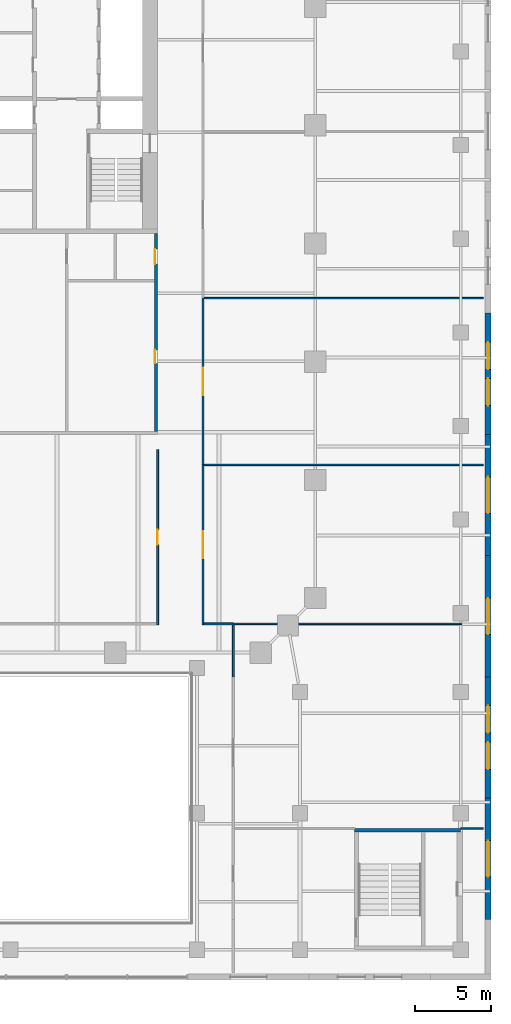
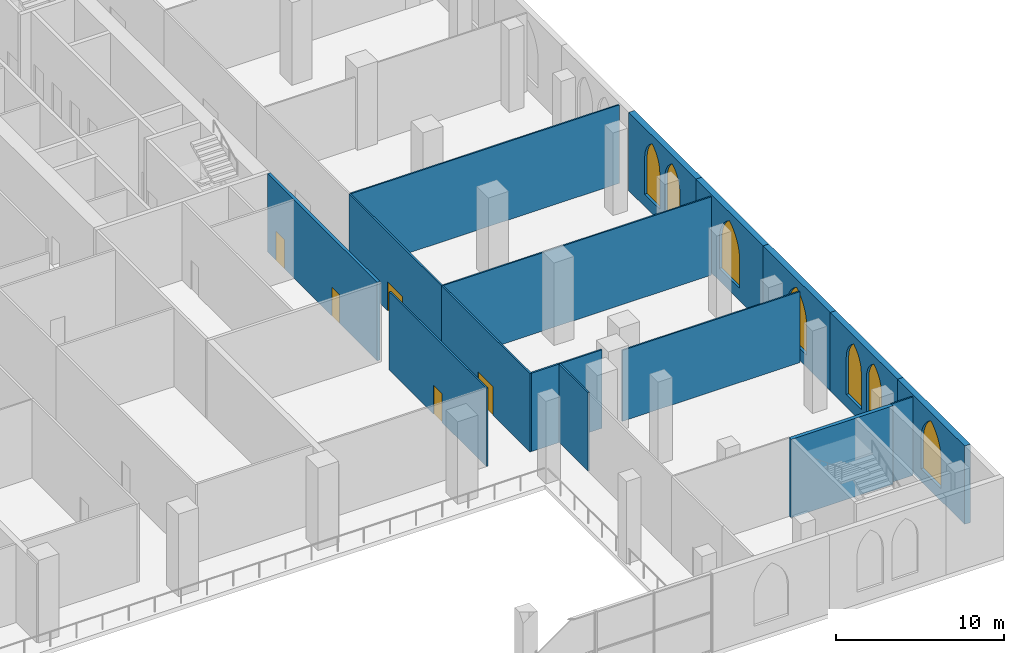
# One storey, part 13 of 21: 17 walls, 7 windows, 5 doors, 12 openings.
"""IFC4 building model written with IfcOpenShell, lengths in metres."""

from ifc_helpers import new_model, si_unit, direction, frame, frame_2d, origin, place, context, subcontext, project, spatial, polyline, rectangle, outline, extrude, material, layer, layer_set, type_object, element, fill, save


model = new_model("IFC4")

# Units and contexts
model_context = context("Model", 3, precision=1e-05, world=origin(), true_north=direction((0.0, 1.0)))
body_context = subcontext(model_context, "Body", "Model", "MODEL_VIEW")
ifc_project = project(units=[si_unit("LENGTHUNIT", "METRE"), si_unit("AREAUNIT", "SQUARE_METRE"), si_unit("VOLUMEUNIT", "CUBIC_METRE"), si_unit("PLANEANGLEUNIT", "RADIAN"), si_unit("MASSUNIT", "GRAM", prefix="KILO")], contexts=[model_context])

# Site, building, storey
site_placement = place(None, origin())
site = spatial("IfcSite", under=ifc_project, at=site_placement, CompositionType="ELEMENT")
building_placement = place(site_placement, origin())
building = spatial("IfcBuilding", under=site, at=building_placement, Name="Ogive Exchange Tower", CompositionType="ELEMENT")
storey_placement = place(building_placement, frame((0.0, 0.0, 8.0)))
storey = spatial("IfcBuildingStorey", under=building, at=storey_placement, Name="L01", CompositionType="ELEMENT", Elevation=8.0)

# Wall
ifc_material_1 = material(Name="Glazed fire partition EI 60 120")
ifc_layer_1 = layer(ifc_material_1, 0.1201171875)
ifc_layer_set_1 = layer_set([ifc_layer_1], Name="Glazed fire partition EI 60 120")
wall_type_1 = type_object("IfcWallType", Name="Glazed fire partition EI 60 120", PredefinedType="PARTITIONING", material=ifc_layer_set_1)
wall_1_placement = place(storey_placement, frame((25.06005859375, -28.5, 0.0), z_axis=(0.0, 0.0, 1.0), x_axis=(1.0, 0.0, 0.0)))
element("IfcWall", 1, at=wall_1_placement, inside=storey, type_object=wall_type_1, Name="L01-PWL-012", PredefinedType="PARTITIONING", context=body_context, shape_type="SweptSolid", body=[
    extrude(rectangle(XDim=1.93994140625, YDim=0.1201171875, at=frame_2d((0.969970703125, 0.0))), origin(), (0.0, 0.0, 1.0), 5.699951171875),
])

# Wall, opening, door
wall_2_placement = place(storey_placement, frame((22.0, -28.56005859375, 0.0), z_axis=(0.0, 0.0, 1.0), x_axis=(0.0, 1.0, 0.0)))
wall_2 = element("IfcWall", 2, at=wall_2_placement, inside=storey, type_object=wall_type_1, Name="L01-PWL-059", PredefinedType="PARTITIONING", context=body_context, shape_type="SweptSolid", body=[
    extrude(rectangle(XDim=11.56005859375, YDim=0.1201171875, at=frame_2d((5.780029296875, 0.0))), origin(), (0.0, 0.0, 1.0), 5.699951171875),
])
opening_1_placement = place(wall_2_placement, frame((5.280029296875, 0.0, 0.0)))
opening_1 = element("IfcOpeningElement", 3, at=opening_1_placement, cuts=wall_2, Name="Opening L01-I19", PredefinedType="OPENING", context=body_context, shape_type="SweptSolid", body=[
    extrude(rectangle(XDim=1.0, YDim=2.10009765625, at=frame_2d((0.5, 1.050048828125))), frame((0.0, 0.070068359375, 0.0), z_axis=(0.0, -1.0, 0.0), x_axis=(1.0, 0.0, 0.0)), (0.0, 0.0, 1.0), 0.14013671875),
])
ifc_material_2 = material(Name="Fire door FD 30S 1000 x 2100")
door_type_1 = type_object("IfcDoorType", Name="Fire door FD 30S 1000 x 2100", OperationType="NOTDEFINED", PredefinedType="DOOR", material=ifc_material_2)
door_1_placement = place(opening_1_placement, origin())
door_1 = element("IfcDoor", 4, at=door_1_placement, inside=storey, type_object=door_type_1, Name="L01-IDR-019", ObjectType="DT3", OperationType="SINGLE_SWING_RIGHT", OverallHeight=2.10009765625, OverallWidth=1.0, PredefinedType="DOOR", context=body_context, shape_type="SweptSolid", body=[
    extrude(rectangle(XDim=1.0, YDim=2.10009765625, at=frame_2d((0.5, 1.050048828125))), frame((0.0, 0.02490234375, 0.0), z_axis=(0.0, -1.0, 0.0), x_axis=(1.0, 0.0, 0.0)), (0.0, 0.0, 1.0), 0.050048828125),
])
fill(opening_1, door_1)

wall_3_placement = place(storey_placement, frame((25.0, -28.56005859375, 0.0), z_axis=(0.0, 0.0, 1.0), x_axis=(0.0, 1.0, 0.0)))
wall_3 = element("IfcWall", 5, at=wall_3_placement, inside=storey, type_object=wall_type_1, Name="L01-PWL-060", PredefinedType="PARTITIONING", context=body_context, shape_type="SweptSolid", body=[
    extrude(rectangle(XDim=10.56005859375, YDim=0.1201171875, at=frame_2d((5.280029296875, 0.0))), origin(), (0.0, 0.0, 1.0), 5.699951171875),
])
opening_2_placement = place(wall_3_placement, frame((4.3798828125, 0.0, 0.0)))
opening_2 = element("IfcOpeningElement", 6, at=opening_2_placement, cuts=wall_3, Name="Opening L01-I09", PredefinedType="OPENING", context=body_context, shape_type="SweptSolid", body=[
    extrude(rectangle(XDim=1.800048828125, YDim=2.10009765625, at=frame_2d((0.89990234375, 1.050048828125))), frame((0.0, 0.070068359375, 0.0), z_axis=(0.0, -1.0, 0.0), x_axis=(1.0, 0.0, 0.0)), (0.0, 0.0, 1.0), 0.14013671875),
])
ifc_material_3 = material(Name="Fire door FD 30S 1800 x 2100")
door_type_2 = type_object("IfcDoorType", Name="Fire door FD 30S 1800 x 2100", OperationType="DOUBLE_DOOR_SINGLE_SWING", PredefinedType="DOOR", material=ifc_material_3)
door_2_placement = place(opening_2_placement, frame((1.800048828125, 0.0, 0.0), z_axis=(0.0, 0.0, 1.0), x_axis=(-1.0, 0.0, 0.0)))
door_2 = element("IfcDoor", 7, at=door_2_placement, inside=storey, type_object=door_type_2, Name="L01-IDR-009", ObjectType="DT4", OperationType="SINGLE_SWING_RIGHT", OverallHeight=2.10009765625, OverallWidth=1.800048828125, PredefinedType="DOOR", context=body_context, shape_type="SweptSolid", body=[
    extrude(rectangle(XDim=1.800048828125, YDim=2.10009765625, at=frame_2d((0.89990234375, 1.050048828125))), frame((0.0, 0.02490234375, 0.0), z_axis=(0.0, -1.0, 0.0), x_axis=(1.0, 0.0, 0.0)), (0.0, 0.0, 1.0), 0.050048828125),
])
fill(opening_2, door_2)

wall_4_placement = place(storey_placement, frame((25.0, -18.0, 0.0), z_axis=(0.0, 0.0, 1.0), x_axis=(0.0, 1.0, 0.0)))
wall_4 = element("IfcWall", 8, at=wall_4_placement, inside=storey, type_object=wall_type_1, Name="L01-PWL-061", PredefinedType="PARTITIONING", context=body_context, shape_type="SweptSolid", body=[
    extrude(rectangle(XDim=11.0, YDim=0.1201171875, at=frame_2d((5.5, 0.0))), origin(), (0.0, 0.0, 1.0), 5.699951171875),
])
opening_3_placement = place(wall_4_placement, frame((4.60009765625, 0.0, 0.0)))
opening_3 = element("IfcOpeningElement", 9, at=opening_3_placement, cuts=wall_4, Name="Opening L01-I10", PredefinedType="OPENING", context=body_context, shape_type="SweptSolid", body=[
    extrude(rectangle(XDim=1.800048828125, YDim=2.10009765625, at=frame_2d((0.89990234375, 1.050048828125))), frame((0.0, 0.070068359375, 0.0), z_axis=(0.0, -1.0, 0.0), x_axis=(1.0, 0.0, 0.0)), (0.0, 0.0, 1.0), 0.14013671875),
])
door_3_placement = place(opening_3_placement, frame((1.800048828125, 0.0, 0.0), z_axis=(0.0, 0.0, 1.0), x_axis=(-1.0, 0.0, 0.0)))
door_3 = element("IfcDoor", 10, at=door_3_placement, inside=storey, type_object=door_type_2, Name="L01-IDR-010", ObjectType="DT4", OperationType="SINGLE_SWING_LEFT", OverallHeight=2.10009765625, OverallWidth=1.800048828125, PredefinedType="DOOR", context=body_context, shape_type="SweptSolid", body=[
    extrude(rectangle(XDim=1.800048828125, YDim=2.10009765625, at=frame_2d((0.89990234375, 1.050048828125))), frame((0.0, 0.02490234375, 0.0), z_axis=(0.0, -1.0, 0.0), x_axis=(1.0, 0.0, 0.0)), (0.0, 0.0, 1.0), 0.050048828125),
])
fill(opening_3, door_3)

# Wall
wall_5_placement = place(storey_placement, frame((27.0, -32.0, 0.0), z_axis=(0.0, 0.0, 1.0), x_axis=(0.0, 1.0, 0.0)))
element("IfcWall", 11, at=wall_5_placement, inside=storey, type_object=wall_type_1, Name="L01-PWL-069", PredefinedType="PARTITIONING", context=body_context, shape_type="SweptSolid", body=[
    extrude(rectangle(XDim=3.43994140625, YDim=0.1201171875, at=frame_2d((1.719970703125, 0.0))), origin(), (0.0, 0.0, 1.0), 5.699951171875),
])

# Wall, opening, window
ifc_material_4 = material(Name="Precast concrete C40/50", Category="concrete")
ifc_layer_2 = layer(ifc_material_4, 0.39990234375)
ifc_layer_set_2 = layer_set([ifc_layer_2], Name="Limestone-faced wall 400")
wall_type_2 = type_object("IfcWallType", Name="Limestone-faced wall 400", PredefinedType="STANDARD", material=ifc_layer_set_2)
wall_6_placement = place(storey_placement, frame((43.800048828125, -48.0, 0.0), z_axis=(0.0, 0.0, 1.0), x_axis=(0.0, 1.0, 0.0)))
wall_6 = element("IfcWall", 12, at=wall_6_placement, inside=storey, type_object=wall_type_2, Name="Podium wall E2", PredefinedType="STANDARD", context=body_context, shape_type="SweptSolid", body=[
    extrude(rectangle(XDim=8.0, YDim=0.39990234375, at=frame_2d((4.0, 0.0))), origin(), (0.0, 0.0, 1.0), 5.699951171875),
])
opening_4_placement = place(wall_6_placement, frame((2.800048828125, 0.0, 0.89990234375)))
opening_4 = element("IfcOpeningElement", 13, at=opening_4_placement, cuts=wall_6, Name="Opening WP420", PredefinedType="OPENING", context=body_context, shape_type="SweptSolid", body=[
    extrude(outline(polyline([(0.0, 0.0), (2.39990234375, 0.0), (2.39990234375, 2.12158203125), (2.37939453125, 2.434814453125), (2.318115234375, 2.74267578125), (2.21728515625, 3.0400390625), (2.078369140625, 3.321533203125), (1.904052734375, 3.58251953125), (1.697021484375, 3.818603515625), (1.4609375, 4.025634765625), (1.199951171875, 4.199951171875), (0.93896484375, 4.025634765625), (0.702880859375, 3.818603515625), (0.495849609375, 3.58251953125), (0.321533203125, 3.321533203125), (0.1826171875, 3.0400390625), (0.081787109375, 2.74267578125), (0.0205078125, 2.434814453125), (0.0, 2.12158203125), (0.0, 0.0)])), frame((0.0, 0.2099609375, 0.0), z_axis=(0.0, -1.0, 0.0), x_axis=(1.0, 0.0, 0.0)), (0.0, 0.0, 1.0), 0.419921875),
])
ifc_material_5 = material(Name="Clear glass in bronze frame", Category="glass")
window_type_1 = type_object("IfcWindowType", Name="Podium lancet window 2400 x 4200", PartitioningType="DOUBLE_PANEL_VERTICAL", PredefinedType="WINDOW", material=ifc_material_5)
window_1_placement = place(opening_4_placement, origin())
window_1 = element("IfcWindow", 14, at=window_1_placement, inside=storey, type_object=window_type_1, Name="Podium window E2", OverallHeight=4.199951171875, OverallWidth=2.39990234375, PartitioningType="DOUBLE_PANEL_VERTICAL", PredefinedType="WINDOW", context=body_context, shape_type="SweptSolid", body=[
    extrude(outline(polyline([(0.0, 0.0), (2.39990234375, 0.0), (2.39990234375, 2.12158203125), (2.37939453125, 2.434814453125), (2.318115234375, 2.74267578125), (2.21728515625, 3.0400390625), (2.078369140625, 3.321533203125), (1.904052734375, 3.58251953125), (1.697021484375, 3.818603515625), (1.4609375, 4.025634765625), (1.199951171875, 4.199951171875), (0.93896484375, 4.025634765625), (0.702880859375, 3.818603515625), (0.495849609375, 3.58251953125), (0.321533203125, 3.321533203125), (0.1826171875, 3.0400390625), (0.081787109375, 2.74267578125), (0.0205078125, 2.434814453125), (0.0, 2.12158203125), (0.0, 0.0)])), frame((0.0, 0.030029296875, 0.0), z_axis=(0.0, -1.0, 0.0), x_axis=(1.0, 0.0, 0.0)), (0.0, 0.0, 1.0), 0.06005859375),
])
fill(opening_4, window_1)

# Wall, openings, windows
wall_7_placement = place(storey_placement, frame((43.800048828125, -40.0, 0.0), z_axis=(0.0, 0.0, 1.0), x_axis=(0.0, 1.0, 0.0)))
wall_7 = element("IfcWall", 15, at=wall_7_placement, inside=storey, type_object=wall_type_2, Name="Podium wall E3", PredefinedType="STANDARD", context=body_context, shape_type="SweptSolid", body=[
    extrude(rectangle(XDim=8.0, YDim=0.39990234375, at=frame_2d((4.0, 0.0))), origin(), (0.0, 0.0, 1.0), 5.699951171875),
])
opening_5_placement = place(wall_7_placement, frame((1.89990234375, 0.0, 0.89990234375)))
opening_5 = element("IfcOpeningElement", 16, at=opening_5_placement, cuts=wall_7, Name="Opening WQ420", PredefinedType="OPENING", context=body_context, shape_type="SweptSolid", body=[
    extrude(outline(polyline([(0.0, 0.0), (1.800048828125, 0.0), (1.800048828125, 2.64111328125), (1.78466796875, 2.8759765625), (1.73876953125, 3.10693359375), (1.6630859375, 3.329833984375), (1.558837890625, 3.541015625), (1.427978515625, 3.73681640625), (1.272705078125, 3.913818359375), (1.095703125, 4.069091796875), (0.89990234375, 4.199951171875), (0.704345703125, 4.069091796875), (0.52734375, 3.913818359375), (0.3720703125, 3.73681640625), (0.2412109375, 3.541015625), (0.136962890625, 3.329833984375), (0.061279296875, 3.10693359375), (0.015380859375, 2.8759765625), (0.0, 2.64111328125), (0.0, 0.0)])), frame((0.0, 0.2099609375, 0.0), z_axis=(0.0, -1.0, 0.0), x_axis=(1.0, 0.0, 0.0)), (0.0, 0.0, 1.0), 0.419921875),
])
opening_6_placement = place(wall_7_placement, frame((4.300048828125, 0.0, 0.89990234375)))
opening_6 = element("IfcOpeningElement", 17, at=opening_6_placement, cuts=wall_7, Name="Opening WQ420", PredefinedType="OPENING", context=body_context, shape_type="SweptSolid", body=[
    extrude(outline(polyline([(0.0, 0.0), (1.800048828125, 0.0), (1.800048828125, 2.64111328125), (1.78466796875, 2.8759765625), (1.73876953125, 3.10693359375), (1.6630859375, 3.329833984375), (1.558837890625, 3.541015625), (1.427978515625, 3.73681640625), (1.272705078125, 3.913818359375), (1.095703125, 4.069091796875), (0.89990234375, 4.199951171875), (0.704345703125, 4.069091796875), (0.52734375, 3.913818359375), (0.3720703125, 3.73681640625), (0.2412109375, 3.541015625), (0.136962890625, 3.329833984375), (0.061279296875, 3.10693359375), (0.015380859375, 2.8759765625), (0.0, 2.64111328125), (0.0, 0.0)])), frame((0.0, 0.2099609375, 0.0), z_axis=(0.0, -1.0, 0.0), x_axis=(1.0, 0.0, 0.0)), (0.0, 0.0, 1.0), 0.419921875),
])
window_type_2 = type_object("IfcWindowType", Name="Podium paired lancet 1800 x 4200", PartitioningType="DOUBLE_PANEL_VERTICAL", PredefinedType="WINDOW", material=ifc_material_5)
window_2_placement = place(opening_5_placement, origin())
window_2 = element("IfcWindow", 18, at=window_2_placement, inside=storey, type_object=window_type_2, Name="Podium paired lancet E3.1", OverallHeight=4.199951171875, OverallWidth=1.800048828125, PartitioningType="DOUBLE_PANEL_VERTICAL", PredefinedType="WINDOW", context=body_context, shape_type="SweptSolid", body=[
    extrude(outline(polyline([(0.0, 0.0), (1.800048828125, 0.0), (1.800048828125, 2.64111328125), (1.78466796875, 2.8759765625), (1.73876953125, 3.10693359375), (1.6630859375, 3.329833984375), (1.558837890625, 3.541015625), (1.427978515625, 3.73681640625), (1.272705078125, 3.913818359375), (1.095703125, 4.069091796875), (0.89990234375, 4.199951171875), (0.704345703125, 4.069091796875), (0.52734375, 3.913818359375), (0.3720703125, 3.73681640625), (0.2412109375, 3.541015625), (0.136962890625, 3.329833984375), (0.061279296875, 3.10693359375), (0.015380859375, 2.8759765625), (0.0, 2.64111328125), (0.0, 0.0)])), frame((0.0, 0.030029296875, 0.0), z_axis=(0.0, -1.0, 0.0), x_axis=(1.0, 0.0, 0.0)), (0.0, 0.0, 1.0), 0.06005859375),
])
fill(opening_5, window_2)
window_3_placement = place(opening_6_placement, origin())
window_3 = element("IfcWindow", 19, at=window_3_placement, inside=storey, type_object=window_type_2, Name="Podium paired lancet E3.2", OverallHeight=4.199951171875, OverallWidth=1.800048828125, PartitioningType="DOUBLE_PANEL_VERTICAL", PredefinedType="WINDOW", context=body_context, shape_type="SweptSolid", body=[
    extrude(outline(polyline([(0.0, 0.0), (1.800048828125, 0.0), (1.800048828125, 2.64111328125), (1.78466796875, 2.8759765625), (1.73876953125, 3.10693359375), (1.6630859375, 3.329833984375), (1.558837890625, 3.541015625), (1.427978515625, 3.73681640625), (1.272705078125, 3.913818359375), (1.095703125, 4.069091796875), (0.89990234375, 4.199951171875), (0.704345703125, 4.069091796875), (0.52734375, 3.913818359375), (0.3720703125, 3.73681640625), (0.2412109375, 3.541015625), (0.136962890625, 3.329833984375), (0.061279296875, 3.10693359375), (0.015380859375, 2.8759765625), (0.0, 2.64111328125), (0.0, 0.0)])), frame((0.0, 0.030029296875, 0.0), z_axis=(0.0, -1.0, 0.0), x_axis=(1.0, 0.0, 0.0)), (0.0, 0.0, 1.0), 0.06005859375),
])
fill(opening_6, window_3)

# Wall, opening, window
wall_8_placement = place(storey_placement, frame((43.800048828125, -32.0, 0.0), z_axis=(0.0, 0.0, 1.0), x_axis=(0.0, 1.0, 0.0)))
wall_8 = element("IfcWall", 20, at=wall_8_placement, inside=storey, type_object=wall_type_2, Name="Podium wall E4", PredefinedType="STANDARD", context=body_context, shape_type="SweptSolid", body=[
    extrude(rectangle(XDim=8.0, YDim=0.39990234375, at=frame_2d((4.0, 0.0))), origin(), (0.0, 0.0, 1.0), 5.699951171875),
])
opening_7_placement = place(wall_8_placement, frame((2.800048828125, 0.0, 0.89990234375)))
opening_7 = element("IfcOpeningElement", 21, at=opening_7_placement, cuts=wall_8, Name="Opening WP420", PredefinedType="OPENING", context=body_context, shape_type="SweptSolid", body=[
    extrude(outline(polyline([(0.0, 0.0), (2.39990234375, 0.0), (2.39990234375, 2.12158203125), (2.37939453125, 2.434814453125), (2.318115234375, 2.74267578125), (2.21728515625, 3.0400390625), (2.078369140625, 3.321533203125), (1.904052734375, 3.58251953125), (1.697021484375, 3.818603515625), (1.4609375, 4.025634765625), (1.199951171875, 4.199951171875), (0.93896484375, 4.025634765625), (0.702880859375, 3.818603515625), (0.495849609375, 3.58251953125), (0.321533203125, 3.321533203125), (0.1826171875, 3.0400390625), (0.081787109375, 2.74267578125), (0.0205078125, 2.434814453125), (0.0, 2.12158203125), (0.0, 0.0)])), frame((0.0, 0.2099609375, 0.0), z_axis=(0.0, -1.0, 0.0), x_axis=(1.0, 0.0, 0.0)), (0.0, 0.0, 1.0), 0.419921875),
])
window_4_placement = place(opening_7_placement, origin())
window_4 = element("IfcWindow", 22, at=window_4_placement, inside=storey, type_object=window_type_1, Name="Podium window E4", OverallHeight=4.199951171875, OverallWidth=2.39990234375, PartitioningType="DOUBLE_PANEL_VERTICAL", PredefinedType="WINDOW", context=body_context, shape_type="SweptSolid", body=[
    extrude(outline(polyline([(0.0, 0.0), (2.39990234375, 0.0), (2.39990234375, 2.12158203125), (2.37939453125, 2.434814453125), (2.318115234375, 2.74267578125), (2.21728515625, 3.0400390625), (2.078369140625, 3.321533203125), (1.904052734375, 3.58251953125), (1.697021484375, 3.818603515625), (1.4609375, 4.025634765625), (1.199951171875, 4.199951171875), (0.93896484375, 4.025634765625), (0.702880859375, 3.818603515625), (0.495849609375, 3.58251953125), (0.321533203125, 3.321533203125), (0.1826171875, 3.0400390625), (0.081787109375, 2.74267578125), (0.0205078125, 2.434814453125), (0.0, 2.12158203125), (0.0, 0.0)])), frame((0.0, 0.030029296875, 0.0), z_axis=(0.0, -1.0, 0.0), x_axis=(1.0, 0.0, 0.0)), (0.0, 0.0, 1.0), 0.06005859375),
])
fill(opening_7, window_4)

wall_9_placement = place(storey_placement, frame((43.800048828125, -24.0, 0.0), z_axis=(0.0, 0.0, 1.0), x_axis=(0.0, 1.0, 0.0)))
wall_9 = element("IfcWall", 23, at=wall_9_placement, inside=storey, type_object=wall_type_2, Name="Podium wall E5", PredefinedType="STANDARD", context=body_context, shape_type="SweptSolid", body=[
    extrude(rectangle(XDim=8.0, YDim=0.39990234375, at=frame_2d((4.0, 0.0))), origin(), (0.0, 0.0, 1.0), 5.699951171875),
])
opening_8_placement = place(wall_9_placement, frame((2.800048828125, 0.0, 0.89990234375)))
opening_8 = element("IfcOpeningElement", 24, at=opening_8_placement, cuts=wall_9, Name="Opening WP420", PredefinedType="OPENING", context=body_context, shape_type="SweptSolid", body=[
    extrude(outline(polyline([(0.0, 0.0), (2.39990234375, 0.0), (2.39990234375, 2.12158203125), (2.37939453125, 2.434814453125), (2.318115234375, 2.74267578125), (2.21728515625, 3.0400390625), (2.078369140625, 3.321533203125), (1.904052734375, 3.58251953125), (1.697021484375, 3.818603515625), (1.4609375, 4.025634765625), (1.199951171875, 4.199951171875), (0.93896484375, 4.025634765625), (0.702880859375, 3.818603515625), (0.495849609375, 3.58251953125), (0.321533203125, 3.321533203125), (0.1826171875, 3.0400390625), (0.081787109375, 2.74267578125), (0.0205078125, 2.434814453125), (0.0, 2.12158203125), (0.0, 0.0)])), frame((0.0, 0.2099609375, 0.0), z_axis=(0.0, -1.0, 0.0), x_axis=(1.0, 0.0, 0.0)), (0.0, 0.0, 1.0), 0.419921875),
])
window_5_placement = place(opening_8_placement, origin())
window_5 = element("IfcWindow", 25, at=window_5_placement, inside=storey, type_object=window_type_1, Name="Podium window E5", OverallHeight=4.199951171875, OverallWidth=2.39990234375, PartitioningType="DOUBLE_PANEL_VERTICAL", PredefinedType="WINDOW", context=body_context, shape_type="SweptSolid", body=[
    extrude(outline(polyline([(0.0, 0.0), (2.39990234375, 0.0), (2.39990234375, 2.12158203125), (2.37939453125, 2.434814453125), (2.318115234375, 2.74267578125), (2.21728515625, 3.0400390625), (2.078369140625, 3.321533203125), (1.904052734375, 3.58251953125), (1.697021484375, 3.818603515625), (1.4609375, 4.025634765625), (1.199951171875, 4.199951171875), (0.93896484375, 4.025634765625), (0.702880859375, 3.818603515625), (0.495849609375, 3.58251953125), (0.321533203125, 3.321533203125), (0.1826171875, 3.0400390625), (0.081787109375, 2.74267578125), (0.0205078125, 2.434814453125), (0.0, 2.12158203125), (0.0, 0.0)])), frame((0.0, 0.030029296875, 0.0), z_axis=(0.0, -1.0, 0.0), x_axis=(1.0, 0.0, 0.0)), (0.0, 0.0, 1.0), 0.06005859375),
])
fill(opening_8, window_5)

# Wall, openings, windows
wall_10_placement = place(storey_placement, frame((43.800048828125, -16.0, 0.0), z_axis=(0.0, 0.0, 1.0), x_axis=(0.0, 1.0, 0.0)))
wall_10 = element("IfcWall", 26, at=wall_10_placement, inside=storey, type_object=wall_type_2, Name="Podium wall E6", PredefinedType="STANDARD", context=body_context, shape_type="SweptSolid", body=[
    extrude(rectangle(XDim=8.0, YDim=0.39990234375, at=frame_2d((4.0, 0.0))), origin(), (0.0, 0.0, 1.0), 5.699951171875),
])
opening_9_placement = place(wall_10_placement, frame((1.89990234375, 0.0, 0.89990234375)))
opening_9 = element("IfcOpeningElement", 27, at=opening_9_placement, cuts=wall_10, Name="Opening WQ420", PredefinedType="OPENING", context=body_context, shape_type="SweptSolid", body=[
    extrude(outline(polyline([(0.0, 0.0), (1.800048828125, 0.0), (1.800048828125, 2.64111328125), (1.78466796875, 2.8759765625), (1.73876953125, 3.10693359375), (1.6630859375, 3.329833984375), (1.558837890625, 3.541015625), (1.427978515625, 3.73681640625), (1.272705078125, 3.913818359375), (1.095703125, 4.069091796875), (0.89990234375, 4.199951171875), (0.704345703125, 4.069091796875), (0.52734375, 3.913818359375), (0.3720703125, 3.73681640625), (0.2412109375, 3.541015625), (0.136962890625, 3.329833984375), (0.061279296875, 3.10693359375), (0.015380859375, 2.8759765625), (0.0, 2.64111328125), (0.0, 0.0)])), frame((0.0, 0.2099609375, 0.0), z_axis=(0.0, -1.0, 0.0), x_axis=(1.0, 0.0, 0.0)), (0.0, 0.0, 1.0), 0.419921875),
])
opening_10_placement = place(wall_10_placement, frame((4.300048828125, 0.0, 0.89990234375)))
opening_10 = element("IfcOpeningElement", 28, at=opening_10_placement, cuts=wall_10, Name="Opening WQ420", PredefinedType="OPENING", context=body_context, shape_type="SweptSolid", body=[
    extrude(outline(polyline([(0.0, 0.0), (1.800048828125, 0.0), (1.800048828125, 2.64111328125), (1.78466796875, 2.8759765625), (1.73876953125, 3.10693359375), (1.6630859375, 3.329833984375), (1.558837890625, 3.541015625), (1.427978515625, 3.73681640625), (1.272705078125, 3.913818359375), (1.095703125, 4.069091796875), (0.89990234375, 4.199951171875), (0.704345703125, 4.069091796875), (0.52734375, 3.913818359375), (0.3720703125, 3.73681640625), (0.2412109375, 3.541015625), (0.136962890625, 3.329833984375), (0.061279296875, 3.10693359375), (0.015380859375, 2.8759765625), (0.0, 2.64111328125), (0.0, 0.0)])), frame((0.0, 0.2099609375, 0.0), z_axis=(0.0, -1.0, 0.0), x_axis=(1.0, 0.0, 0.0)), (0.0, 0.0, 1.0), 0.419921875),
])
window_6_placement = place(opening_9_placement, origin())
window_6 = element("IfcWindow", 29, at=window_6_placement, inside=storey, type_object=window_type_2, Name="Podium paired lancet E6.1", OverallHeight=4.199951171875, OverallWidth=1.800048828125, PartitioningType="DOUBLE_PANEL_VERTICAL", PredefinedType="WINDOW", context=body_context, shape_type="SweptSolid", body=[
    extrude(outline(polyline([(0.0, 0.0), (1.800048828125, 0.0), (1.800048828125, 2.64111328125), (1.78466796875, 2.8759765625), (1.73876953125, 3.10693359375), (1.6630859375, 3.329833984375), (1.558837890625, 3.541015625), (1.427978515625, 3.73681640625), (1.272705078125, 3.913818359375), (1.095703125, 4.069091796875), (0.89990234375, 4.199951171875), (0.704345703125, 4.069091796875), (0.52734375, 3.913818359375), (0.3720703125, 3.73681640625), (0.2412109375, 3.541015625), (0.136962890625, 3.329833984375), (0.061279296875, 3.10693359375), (0.015380859375, 2.8759765625), (0.0, 2.64111328125), (0.0, 0.0)])), frame((0.0, 0.030029296875, 0.0), z_axis=(0.0, -1.0, 0.0), x_axis=(1.0, 0.0, 0.0)), (0.0, 0.0, 1.0), 0.06005859375),
])
fill(opening_9, window_6)
window_7_placement = place(opening_10_placement, origin())
window_7 = element("IfcWindow", 30, at=window_7_placement, inside=storey, type_object=window_type_2, Name="Podium paired lancet E6.2", OverallHeight=4.199951171875, OverallWidth=1.800048828125, PartitioningType="DOUBLE_PANEL_VERTICAL", PredefinedType="WINDOW", context=body_context, shape_type="SweptSolid", body=[
    extrude(outline(polyline([(0.0, 0.0), (1.800048828125, 0.0), (1.800048828125, 2.64111328125), (1.78466796875, 2.8759765625), (1.73876953125, 3.10693359375), (1.6630859375, 3.329833984375), (1.558837890625, 3.541015625), (1.427978515625, 3.73681640625), (1.272705078125, 3.913818359375), (1.095703125, 4.069091796875), (0.89990234375, 4.199951171875), (0.704345703125, 4.069091796875), (0.52734375, 3.913818359375), (0.3720703125, 3.73681640625), (0.2412109375, 3.541015625), (0.136962890625, 3.329833984375), (0.061279296875, 3.10693359375), (0.015380859375, 2.8759765625), (0.0, 2.64111328125), (0.0, 0.0)])), frame((0.0, 0.030029296875, 0.0), z_axis=(0.0, -1.0, 0.0), x_axis=(1.0, 0.0, 0.0)), (0.0, 0.0, 1.0), 0.06005859375),
])
fill(opening_10, window_7)

# Walls
ifc_material_6 = material(Name="Partition 100 gypsum")
ifc_layer_3 = layer(ifc_material_6, 0.10009765625)
ifc_layer_set_3 = layer_set([ifc_layer_3], Name="Partition 100 gypsum")
wall_type_3 = type_object("IfcWallType", Name="Partition 100 gypsum", PredefinedType="PARTITIONING", material=ifc_layer_set_3)
wall_11_placement = place(storey_placement, frame((42.0, -42.0, 0.0), z_axis=(0.0, 0.0, 1.0), x_axis=(1.0, 0.0, 0.0)))
element("IfcWall", 31, at=wall_11_placement, inside=storey, type_object=wall_type_3, Name="L01-PWL-004", PredefinedType="PARTITIONING", context=body_context, shape_type="SweptSolid", body=[
    extrude(rectangle(XDim=1.5, YDim=0.10009765625, at=frame_2d((0.75, 0.0))), origin(), (0.0, 0.0, 1.0), 5.699951171875),
])
wall_12_placement = place(storey_placement, frame((27.0, -28.5, 0.0), z_axis=(0.0, 0.0, 1.0), x_axis=(1.0, 0.0, 0.0)))
element("IfcWall", 32, at=wall_12_placement, inside=storey, type_object=wall_type_3, Name="L01-PWL-013", PredefinedType="PARTITIONING", context=body_context, shape_type="SweptSolid", body=[
    extrude(rectangle(XDim=2.89990234375, YDim=0.10009765625, at=frame_2d((1.449951171875, 0.0))), origin(), (0.0, 0.0, 1.0), 5.699951171875),
])
wall_13_placement = place(storey_placement, frame((31.300048828125, -28.5, 0.0), z_axis=(0.0, 0.0, 1.0), x_axis=(1.0, 0.0, 0.0)))
element("IfcWall", 33, at=wall_13_placement, inside=storey, type_object=wall_type_3, Name="L01-PWL-014", PredefinedType="PARTITIONING", context=body_context, shape_type="SweptSolid", body=[
    extrude(rectangle(XDim=12.199951171875, YDim=0.10009765625, at=frame_2d((6.10009765625, 0.0))), origin(), (0.0, 0.0, 1.0), 5.1640625),
])
for number, where, z_axis, x_axis, name in (
    (34, (25.06005859375, -18.0, 0.0), (0.0, 0.0, 1.0), (1.0, 0.0, 0.0), "L01-PWL-017"),
    (35, (25.06005859375, -7.0, 0.0), (0.0, 0.0, 1.0), (1.0, 0.0, 0.0), "L01-PWL-022"),
):
    element("IfcWall", number, at=place(storey_placement, frame(where, z_axis=z_axis, x_axis=x_axis)), inside=storey, type_object=wall_type_3, Name=name, PredefinedType="PARTITIONING", context=body_context, shape_type="SweptSolid", body=[
        extrude(rectangle(XDim=18.43994140625, YDim=0.10009765625, at=frame_2d((9.219970703125, 0.0))), origin(), (0.0, 0.0, 1.0), 5.699951171875),
    ])

# Wall, openings, doors
ifc_material_7 = material(Name="Concrete C70/85", Category="concrete")
ifc_layer_4 = layer(ifc_material_7, 0.199951171875)
ifc_layer_set_4 = layer_set([ifc_layer_4], Name="RC core wall 200 C70/85")
wall_type_4 = type_object("IfcWallType", Name="RC core wall 200 C70/85", PredefinedType="SHEAR", material=ifc_layer_set_4)
wall_14_placement = place(storey_placement, frame((21.89990234375, -15.800048828125, 0.0), z_axis=(0.0, 0.0, 1.0), x_axis=(0.0, 1.0, 0.0)))
wall_14 = element("IfcWall", 36, at=wall_14_placement, inside=storey, type_object=wall_type_4, Name="E annex S outer wall", PredefinedType="SHEAR", context=body_context, shape_type="SweptSolid", body=[
    extrude(rectangle(XDim=13.050048828125, YDim=0.199951171875, at=frame_2d((6.52490234375, 0.0))), origin(), (0.0, 0.0, 1.0), 5.699951171875),
])
opening_11_placement = place(wall_14_placement, frame((4.487548828125, 0.0, 0.0)))
opening_11 = element("IfcOpeningElement", 37, at=opening_11_placement, cuts=wall_14, Name="Opening L01-C41", PredefinedType="OPENING", context=body_context, shape_type="SweptSolid", body=[
    extrude(rectangle(XDim=0.89990234375, YDim=2.10009765625, at=frame_2d((0.449951171875, 1.050048828125))), frame((0.0, 0.10986328125, 0.0), z_axis=(0.0, -1.0, 0.0), x_axis=(1.0, 0.0, 0.0)), (0.0, 0.0, 1.0), 0.219970703125),
])
opening_12_placement = place(wall_14_placement, frame((11.03759765625, 0.0, 0.0)))
opening_12 = element("IfcOpeningElement", 38, at=opening_12_placement, cuts=wall_14, Name="Opening L01-C42", PredefinedType="OPENING", context=body_context, shape_type="SweptSolid", body=[
    extrude(rectangle(XDim=1.0, YDim=2.10009765625, at=frame_2d((0.5, 1.050048828125))), frame((0.0, 0.10986328125, 0.0), z_axis=(0.0, -1.0, 0.0), x_axis=(1.0, 0.0, 0.0)), (0.0, 0.0, 1.0), 0.219970703125),
])
ifc_material_8 = material(Name="Timber fire door", Category="wood")
door_type_3 = type_object("IfcDoorType", Name="Accessible WC door FD30S 1000 x 2100", OperationType="NOTDEFINED", PredefinedType="DOOR", material=ifc_material_8)
door_4_placement = place(opening_12_placement, origin())
door_4 = element("IfcDoor", 39, at=door_4_placement, inside=storey, type_object=door_type_3, Name="Accessible WC door", ObjectType="CD7", OperationType="SINGLE_SWING_LEFT", OverallHeight=2.10009765625, OverallWidth=1.0, PredefinedType="DOOR", context=body_context, shape_type="SweptSolid", body=[
    extrude(rectangle(XDim=1.0, YDim=2.10009765625, at=frame_2d((0.5, 1.050048828125))), frame((0.0, 0.10009765625, 0.0), z_axis=(0.0, -1.0, 0.0), x_axis=(1.0, 0.0, 0.0)), (0.0, 0.0, 1.0), 0.050048828125),
])
fill(opening_12, door_4)
ifc_material_9 = material(Name="Steel fire door", Category="steel")
door_type_4 = type_object("IfcDoorType", Name="Riser door FD60 900 x 2100", OperationType="NOTDEFINED", PredefinedType="DOOR", material=ifc_material_9)
door_5_placement = place(opening_11_placement, origin())
door_5 = element("IfcDoor", 40, at=door_5_placement, inside=storey, type_object=door_type_4, Name="Riser door", ObjectType="CD2", OperationType="SINGLE_SWING_LEFT", OverallHeight=2.10009765625, OverallWidth=0.89990234375, PredefinedType="DOOR", context=body_context, shape_type="SweptSolid", body=[
    extrude(rectangle(XDim=0.89990234375, YDim=2.10009765625, at=frame_2d((0.449951171875, 1.050048828125))), frame((0.0, 0.10009765625, 0.0), z_axis=(0.0, -1.0, 0.0), x_axis=(1.0, 0.0, 0.0)), (0.0, 0.0, 1.0), 0.050048828125),
])
fill(opening_11, door_5)

# Wall
ifc_layer_5 = layer(ifc_material_7, 0.25)
ifc_layer_set_5 = layer_set([ifc_layer_5], Name="RC core wall 250 C70/85")
wall_type_5 = type_object("IfcWallType", Name="RC core wall 250 C70/85", PredefinedType="SHEAR", material=ifc_layer_set_5)
wall_15_placement = place(storey_placement, frame((35.0, -42.125, 0.0), z_axis=(0.0, 0.0, 1.0), x_axis=(1.0, 0.0, 0.0)))
element("IfcWall", 41, at=wall_15_placement, inside=storey, type_object=wall_type_5, Name="PS2 north wall", PredefinedType="SHEAR", context=body_context, shape_type="SweptSolid", body=[
    extrude(rectangle(XDim=7.0, YDim=0.25, at=frame_2d((3.5, 0.0))), origin(), (0.0, 0.0, 1.0), 5.699951171875),
])

save(model, "model.ifc")
